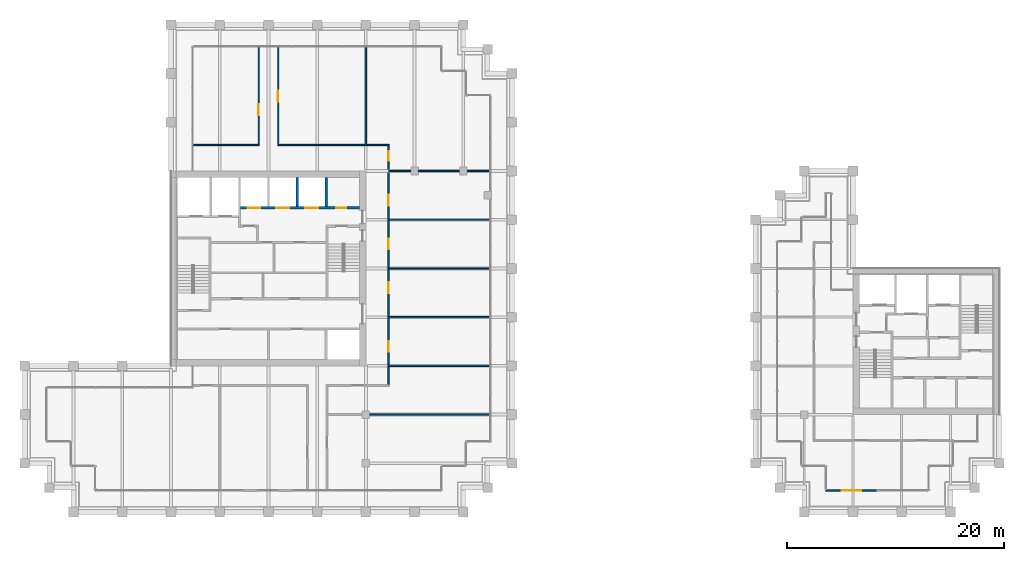
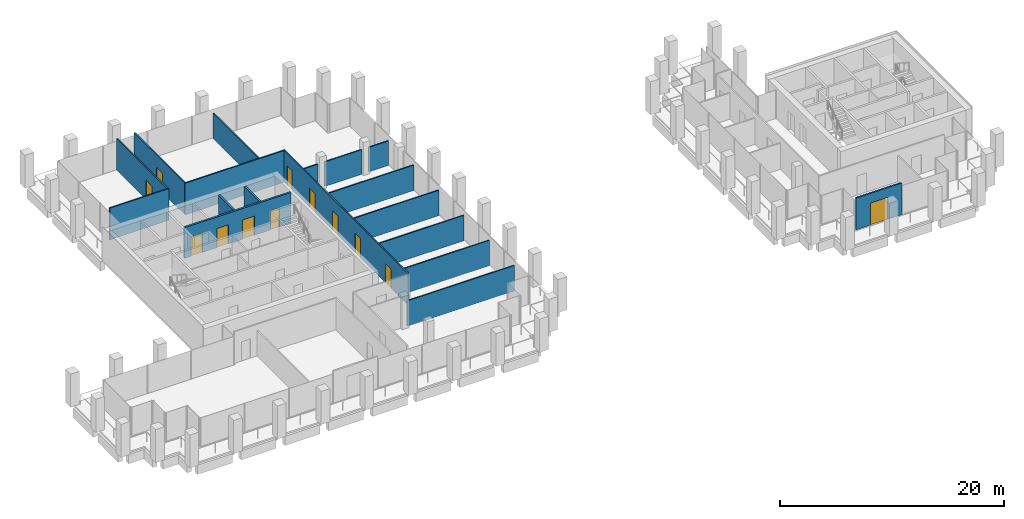
# One storey, part 37 of 40: 18 walls, 12 doors, 12 openings.
"""IFC4 building model written with IfcOpenShell, lengths in metres."""

from ifc_helpers import new_model, si_unit, direction, frame, frame_2d, origin, place, context, subcontext, project, spatial, rectangle, extrude, material, layer, layer_set, type_object, element, fill, save


model = new_model("IFC4")

# Units and contexts
model_context = context("Model", 3, precision=1e-05, world=origin(), true_north=direction((0.0, 1.0)))
body_context = subcontext(model_context, "Body", "Model", "MODEL_VIEW")
ifc_project = project(units=[si_unit("LENGTHUNIT", "METRE"), si_unit("AREAUNIT", "SQUARE_METRE"), si_unit("VOLUMEUNIT", "CUBIC_METRE"), si_unit("PLANEANGLEUNIT", "RADIAN"), si_unit("MASSUNIT", "GRAM", prefix="KILO")], contexts=[model_context])

# Site, building, storey
site_placement = place(None, origin())
site = spatial("IfcSite", under=ifc_project, at=site_placement, CompositionType="ELEMENT")
building_placement = place(site_placement, origin())
building = spatial("IfcBuilding", under=site, at=building_placement, Name="Altepetl Exchange Towers", CompositionType="ELEMENT")
storey_placement = place(building_placement, frame((0.0, 0.0, 151.0)))
storey = spatial("IfcBuildingStorey", under=building, at=storey_placement, Name="L37", CompositionType="ELEMENT", Elevation=151.0)

# Wall, opening, door
ifc_material_1 = material(Name="Aluminium composite cladding", Category="aluminium")
ifc_layer_1 = layer(ifc_material_1, 0.14990234375)
ifc_layer_set_1 = layer_set([ifc_layer_1], Name="Aluminium composite cladding")
wall_type_1 = type_object("IfcWallType", Name="Infill wall 150 aluminium panel", PredefinedType="SOLIDWALL", material=ifc_layer_set_1)
wall_1_placement = place(storey_placement, frame((101.0, 29.0, 0.0)))
wall_1 = element("IfcWall", 1, at=wall_1_placement, inside=storey, type_object=wall_type_1, Name="Loggia door bay wall", PredefinedType="SOLIDWALL", context=body_context, shape_type="SweptSolid", body=[
    extrude(rectangle(XDim=4.71240234375, YDim=0.14990234375, at=frame_2d((2.356201171875, 0.0))), origin(), (0.0, 0.0, 1.0), 3.449951171875),
])
opening_1_placement = place(wall_1_placement, frame((1.456298828125, 0.0, 0.0)))
opening_1 = element("IfcOpeningElement", 2, at=opening_1_placement, cuts=wall_1, Name="Opening L37.B90", PredefinedType="OPENING", context=body_context, shape_type="SweptSolid", body=[
    extrude(rectangle(XDim=1.800048828125, YDim=2.39990234375, at=frame_2d((0.89990234375, 1.199951171875))), frame((0.0, 0.0849609375, 0.0), z_axis=(0.0, -1.0, 0.0), x_axis=(1.0, 0.0, 0.0)), (0.0, 0.0, 1.0), 0.169921875),
])
ifc_material_2 = material(Name="Aluminium 6063-T6 and glass", Category="aluminium")
door_type_1 = type_object("IfcDoorType", Name="Glazed door pair 1800x2400", OperationType="DOUBLE_DOOR_DOUBLE_SWING", PredefinedType="NOTDEFINED", material=ifc_material_2)
door_1_placement = place(opening_1_placement, frame((1.800048828125, 0.0, 0.0), x_axis=(-1.0, 0.0, 0.0)))
door_1 = element("IfcDoor", 3, at=door_1_placement, inside=storey, type_object=door_type_1, Name="Loggia door", OperationType="DOUBLE_DOOR_DOUBLE_SWING", OverallHeight=2.39990234375, OverallWidth=1.800048828125, PredefinedType="NOTDEFINED", context=body_context, shape_type="SweptSolid", body=[
    extrude(rectangle(XDim=1.800048828125, YDim=2.39990234375, at=frame_2d((0.89990234375, 1.199951171875))), frame((0.0, 0.02490234375, 0.0), z_axis=(0.0, -1.0, 0.0), x_axis=(1.0, 0.0, 0.0)), (0.0, 0.0, 1.0), 0.050048828125),
])
fill(opening_1, door_1)

# Walls
ifc_material_3 = material(Name="Timber panels on aluminium track", Category="wood")
ifc_layer_2 = layer(ifc_material_3, 0.125)
ifc_layer_set_2 = layer_set([ifc_layer_2], Name="Timber panels on aluminium track")
wall_type_2 = type_object("IfcWallType", Name="Operable acoustic partition 125", PredefinedType="MOVABLE", material=ifc_layer_set_2)
for number, where, name in (
    (4, (60.60009765625, 45.0, 0.0), "wall:A:L37:P06"),
    (5, (60.60009765625, 49.5, 0.0), "wall:A:L37:P07"),
    (6, (60.60009765625, 54.0, 0.0), "wall:A:L37:P08"),
):
    element("IfcWall", number, at=place(storey_placement, frame(where)), inside=storey, type_object=wall_type_2, Name=name, PredefinedType="MOVABLE", context=body_context, shape_type="SweptSolid", body=[
        extrude(rectangle(XDim=9.2998046875, YDim=0.125, at=frame_2d((4.64990234375, 0.0))), origin(), (0.0, 0.0, 1.0), 2.76611328125),
    ])
ifc_material_4 = material(Name="Gypsum board on steel studs", Category="steel")
ifc_layer_3 = layer(ifc_material_4, 0.125)
ifc_layer_set_3 = layer_set([ifc_layer_3], Name="Gypsum board on steel studs")
wall_type_3 = type_object("IfcWallType", Name="Partition 125 gypsum board on steel studs", PredefinedType="PARTITIONING", material=ifc_layer_set_3)
wall_2_placement = place(storey_placement, frame((58.85009765625, 36.0, 0.0)))
element("IfcWall", 7, at=wall_2_placement, inside=storey, type_object=wall_type_3, Name="wall:A:L37:P02", PredefinedType="PARTITIONING", context=body_context, shape_type="SweptSolid", body=[
    extrude(rectangle(XDim=11.0498046875, YDim=0.125, at=frame_2d((5.52490234375, 0.0))), origin(), (0.0, 0.0, 1.0), 2.76611328125),
])
wall_3_placement = place(storey_placement, frame((60.60009765625, 40.5, 0.0)))
element("IfcWall", 8, at=wall_3_placement, inside=storey, type_object=wall_type_3, Name="wall:A:L37:P05", PredefinedType="PARTITIONING", context=body_context, shape_type="SweptSolid", body=[
    extrude(rectangle(XDim=9.2998046875, YDim=0.125, at=frame_2d((4.64990234375, 0.0))), origin(), (0.0, 0.0, 1.0), 2.76611328125),
])
wall_4_placement = place(storey_placement, frame((60.60009765625, 58.5, 0.0)))
element("IfcWall", 9, at=wall_4_placement, inside=storey, type_object=wall_type_3, Name="wall:A:L37:P09", PredefinedType="PARTITIONING", context=body_context, shape_type="SweptSolid", body=[
    extrude(rectangle(XDim=2.0498046875, YDim=0.125, at=frame_2d((1.02490234375, 0.0))), origin(), (0.0, 0.0, 1.0), 2.676025390625),
])
wall_5_placement = place(storey_placement, frame((63.35009765625, 58.5, 0.0)))
element("IfcWall", 10, at=wall_5_placement, inside=storey, type_object=wall_type_3, Name="wall:A:L37:P10", PredefinedType="PARTITIONING", context=body_context, shape_type="SweptSolid", body=[
    extrude(rectangle(XDim=3.7998046875, YDim=0.125, at=frame_2d((1.89990234375, 0.0))), origin(), (0.0, 0.0, 1.0), 2.676025390625),
])
wall_6_placement = place(storey_placement, frame((67.85009765625, 58.5, 0.0)))
element("IfcWall", 11, at=wall_6_placement, inside=storey, type_object=wall_type_3, Name="wall:A:L37:P11", PredefinedType="PARTITIONING", context=body_context, shape_type="SweptSolid", body=[
    extrude(rectangle(XDim=2.0498046875, YDim=0.125, at=frame_2d((1.02490234375, 0.0))), origin(), (0.0, 0.0, 1.0), 2.676025390625),
])
wall_7_placement = place(storey_placement, frame((42.60009765625, 60.89990234375, 0.0)))
element("IfcWall", 12, at=wall_7_placement, inside=storey, type_object=wall_type_3, Name="wall:A:L37:P12", PredefinedType="PARTITIONING", context=body_context, shape_type="SweptSolid", body=[
    extrude(rectangle(XDim=6.0625, YDim=0.125, at=frame_2d((3.03125, 0.0))), origin(), (0.0, 0.0, 1.0), 3.449951171875),
])
wall_8_placement = place(storey_placement, frame((50.33740234375, 60.89990234375, 0.0)))
element("IfcWall", 13, at=wall_8_placement, inside=storey, type_object=wall_type_3, Name="wall:A:L37:P13", PredefinedType="PARTITIONING", context=body_context, shape_type="SweptSolid", body=[
    extrude(rectangle(XDim=10.3251953125, YDim=0.125, at=frame_2d((5.16259765625, 0.0))), origin(), (0.0, 0.0, 1.0), 3.449951171875),
])

# Wall, opening, door
wall_9_placement = place(storey_placement, frame((48.60009765625, 60.96240234375, 0.0), z_axis=(0.0, 0.0, 1.0), x_axis=(0.0, 1.0, 0.0)))
wall_9 = element("IfcWall", 14, at=wall_9_placement, inside=storey, type_object=wall_type_3, Name="wall:A:L37:P15", PredefinedType="PARTITIONING", context=body_context, shape_type="SweptSolid", body=[
    extrude(rectangle(XDim=8.9375, YDim=0.125, at=frame_2d((4.46875, 0.0))), origin(), (0.0, 0.0, 1.0), 3.449951171875),
])
opening_2_placement = place(wall_9_placement, frame((2.694580078125, 0.0, 0.0)))
opening_2 = element("IfcOpeningElement", 15, at=opening_2_placement, cuts=wall_9, Name="Opening L37.A11", PredefinedType="OPENING", context=body_context, shape_type="SweptSolid", body=[
    extrude(rectangle(XDim=1.0, YDim=2.10009765625, at=frame_2d((0.5, 1.050048828125))), frame((0.0, 0.072509765625, 0.0), z_axis=(0.0, -1.0, 0.0), x_axis=(1.0, 0.0, 0.0)), (0.0, 0.0, 1.0), 0.14501953125),
])
ifc_material_5 = material(Name="Steel and timber fire door", Category="steel")
door_type_2 = type_object("IfcDoorType", Name="Fire door 1000 x 2100 single leaf", OperationType="SINGLE_SWING_LEFT", PredefinedType="DOOR", material=ifc_material_5)
door_2_placement = place(opening_2_placement, origin())
door_2 = element("IfcDoor", 16, at=door_2_placement, inside=storey, type_object=door_type_2, Name="door:A:L37:11", OperationType="SINGLE_SWING_RIGHT", OverallHeight=2.10009765625, OverallWidth=1.0, PredefinedType="DOOR", context=body_context, shape_type="SweptSolid", body=[
    extrude(rectangle(XDim=1.0, YDim=2.10009765625, at=frame_2d((0.5, 1.050048828125))), frame((0.0, 0.02490234375, 0.0), z_axis=(0.0, -1.0, 0.0), x_axis=(1.0, 0.0, 0.0)), (0.0, 0.0, 1.0), 0.050048828125),
])
fill(opening_2, door_2)

wall_10_placement = place(storey_placement, frame((50.39990234375, 60.96240234375, 0.0), z_axis=(0.0, 0.0, 1.0), x_axis=(0.0, 1.0, 0.0)))
wall_10 = element("IfcWall", 17, at=wall_10_placement, inside=storey, type_object=wall_type_3, Name="wall:A:L37:P16", PredefinedType="PARTITIONING", context=body_context, shape_type="SweptSolid", body=[
    extrude(rectangle(XDim=8.9375, YDim=0.125, at=frame_2d((4.46875, 0.0))), origin(), (0.0, 0.0, 1.0), 3.449951171875),
])
opening_3_placement = place(wall_10_placement, frame((3.9375, 0.0, 0.0)))
opening_3 = element("IfcOpeningElement", 18, at=opening_3_placement, cuts=wall_10, Name="Opening L37.A10", PredefinedType="OPENING", context=body_context, shape_type="SweptSolid", body=[
    extrude(rectangle(XDim=1.0, YDim=2.10009765625, at=frame_2d((0.5, 1.050048828125))), frame((0.0, 0.072509765625, 0.0), z_axis=(0.0, -1.0, 0.0), x_axis=(1.0, 0.0, 0.0)), (0.0, 0.0, 1.0), 0.14501953125),
])
door_3_placement = place(opening_3_placement, frame((1.0, 0.0, 0.0), x_axis=(-1.0, 0.0, 0.0)))
door_3 = element("IfcDoor", 19, at=door_3_placement, inside=storey, type_object=door_type_2, Name="door:A:L37:10", OperationType="SINGLE_SWING_RIGHT", OverallHeight=2.10009765625, OverallWidth=1.0, PredefinedType="DOOR", context=body_context, shape_type="SweptSolid", body=[
    extrude(rectangle(XDim=1.0, YDim=2.10009765625, at=frame_2d((0.5, 1.050048828125))), frame((0.0, 0.02490234375, 0.0), z_axis=(0.0, -1.0, 0.0), x_axis=(1.0, 0.0, 0.0)), (0.0, 0.0, 1.0), 0.050048828125),
])
fill(opening_3, door_3)

# Wall
wall_11_placement = place(storey_placement, frame((58.5, 60.89990234375, 0.0), z_axis=(0.0, 0.0, 1.0), x_axis=(0.0, 1.0, 0.0)))
element("IfcWall", 20, at=wall_11_placement, inside=storey, type_object=wall_type_3, Name="wall:A:L37:P19", PredefinedType="PARTITIONING", context=body_context, shape_type="SweptSolid", body=[
    extrude(rectangle(XDim=9.0, YDim=0.125, at=frame_2d((4.5, 0.0))), origin(), (0.0, 0.0, 1.0), 2.76611328125),
])

# Wall, openings, doors
wall_12_placement = place(storey_placement, frame((60.60009765625, 38.762451171875, 0.0), z_axis=(0.0, 0.0, 1.0), x_axis=(0.0, 1.0, 0.0)))
wall_12 = element("IfcWall", 21, at=wall_12_placement, inside=storey, type_object=wall_type_3, Name="wall:A:L37:P20", PredefinedType="PARTITIONING", context=body_context, shape_type="SweptSolid", body=[
    extrude(rectangle(XDim=22.074951171875, YDim=0.125, at=frame_2d((11.03759765625, 0.0))), origin(), (0.0, 0.0, 1.0), 3.449951171875),
])
opening_4_placement = place(wall_12_placement, frame((3.032470703125, 0.0, 0.0)))
opening_4 = element("IfcOpeningElement", 22, at=opening_4_placement, cuts=wall_12, Name="Opening L37.A05", PredefinedType="OPENING", context=body_context, shape_type="SweptSolid", body=[
    extrude(rectangle(XDim=1.0, YDim=2.10009765625, at=frame_2d((0.5, 1.050048828125))), frame((0.0, 0.072509765625, 0.0), z_axis=(0.0, -1.0, 0.0), x_axis=(1.0, 0.0, 0.0)), (0.0, 0.0, 1.0), 0.14501953125),
])
opening_5_placement = place(wall_12_placement, frame((8.4423828125, 0.0, 0.0)))
opening_5 = element("IfcOpeningElement", 23, at=opening_5_placement, cuts=wall_12, Name="Opening L37.A06", PredefinedType="OPENING", context=body_context, shape_type="SweptSolid", body=[
    extrude(rectangle(XDim=1.0, YDim=2.10009765625, at=frame_2d((0.5, 1.050048828125))), frame((0.0, 0.072509765625, 0.0), z_axis=(0.0, -1.0, 0.0), x_axis=(1.0, 0.0, 0.0)), (0.0, 0.0, 1.0), 0.14501953125),
])
opening_6_placement = place(wall_12_placement, frame((12.487548828125, 0.0, 0.0)))
opening_6 = element("IfcOpeningElement", 24, at=opening_6_placement, cuts=wall_12, Name="Opening L37.A07", PredefinedType="OPENING", context=body_context, shape_type="SweptSolid", body=[
    extrude(rectangle(XDim=1.0, YDim=2.10009765625, at=frame_2d((0.5, 1.050048828125))), frame((0.0, 0.072509765625, 0.0), z_axis=(0.0, -1.0, 0.0), x_axis=(1.0, 0.0, 0.0)), (0.0, 0.0, 1.0), 0.14501953125),
])
opening_7_placement = place(wall_12_placement, frame((16.532470703125, 0.0, 0.0)))
opening_7 = element("IfcOpeningElement", 25, at=opening_7_placement, cuts=wall_12, Name="Opening L37.A08", PredefinedType="OPENING", context=body_context, shape_type="SweptSolid", body=[
    extrude(rectangle(XDim=1.0, YDim=2.10009765625, at=frame_2d((0.5, 1.050048828125))), frame((0.0, 0.072509765625, 0.0), z_axis=(0.0, -1.0, 0.0), x_axis=(1.0, 0.0, 0.0)), (0.0, 0.0, 1.0), 0.14501953125),
])
opening_8_placement = place(wall_12_placement, frame((20.66259765625, 0.0, 0.0)))
opening_8 = element("IfcOpeningElement", 26, at=opening_8_placement, cuts=wall_12, Name="Opening L37.A09", PredefinedType="OPENING", context=body_context, shape_type="SweptSolid", body=[
    extrude(rectangle(XDim=0.89990234375, YDim=2.10009765625, at=frame_2d((0.449951171875, 1.050048828125))), frame((0.0, 0.072509765625, 0.0), z_axis=(0.0, -1.0, 0.0), x_axis=(1.0, 0.0, 0.0)), (0.0, 0.0, 1.0), 0.14501953125),
])
door_4_placement = place(opening_4_placement, frame((1.0, 0.0, 0.0), x_axis=(-1.0, 0.0, 0.0)))
door_4 = element("IfcDoor", 27, at=door_4_placement, inside=storey, type_object=door_type_2, Name="door:A:L37:05", OperationType="SINGLE_SWING_LEFT", OverallHeight=2.10009765625, OverallWidth=1.0, PredefinedType="DOOR", context=body_context, shape_type="SweptSolid", body=[
    extrude(rectangle(XDim=1.0, YDim=2.10009765625, at=frame_2d((0.5, 1.050048828125))), frame((0.0, 0.02490234375, 0.0), z_axis=(0.0, -1.0, 0.0), x_axis=(1.0, 0.0, 0.0)), (0.0, 0.0, 1.0), 0.050048828125),
])
fill(opening_4, door_4)
door_5_placement = place(opening_5_placement, frame((1.0, 0.0, 0.0), x_axis=(-1.0, 0.0, 0.0)))
door_5 = element("IfcDoor", 28, at=door_5_placement, inside=storey, type_object=door_type_2, Name="door:A:L37:06", OperationType="SINGLE_SWING_RIGHT", OverallHeight=2.10009765625, OverallWidth=1.0, PredefinedType="DOOR", context=body_context, shape_type="SweptSolid", body=[
    extrude(rectangle(XDim=1.0, YDim=2.10009765625, at=frame_2d((0.5, 1.050048828125))), frame((0.0, 0.02490234375, 0.0), z_axis=(0.0, -1.0, 0.0), x_axis=(1.0, 0.0, 0.0)), (0.0, 0.0, 1.0), 0.050048828125),
])
fill(opening_5, door_5)
door_6_placement = place(opening_6_placement, frame((1.0, 0.0, 0.0), x_axis=(-1.0, 0.0, 0.0)))
door_6 = element("IfcDoor", 29, at=door_6_placement, inside=storey, type_object=door_type_2, Name="door:A:L37:07", OperationType="SINGLE_SWING_LEFT", OverallHeight=2.10009765625, OverallWidth=1.0, PredefinedType="DOOR", context=body_context, shape_type="SweptSolid", body=[
    extrude(rectangle(XDim=1.0, YDim=2.10009765625, at=frame_2d((0.5, 1.050048828125))), frame((0.0, 0.02490234375, 0.0), z_axis=(0.0, -1.0, 0.0), x_axis=(1.0, 0.0, 0.0)), (0.0, 0.0, 1.0), 0.050048828125),
])
fill(opening_6, door_6)
door_7_placement = place(opening_7_placement, frame((1.0, 0.0, 0.0), x_axis=(-1.0, 0.0, 0.0)))
door_7 = element("IfcDoor", 30, at=door_7_placement, inside=storey, type_object=door_type_2, Name="door:A:L37:08", OperationType="SINGLE_SWING_RIGHT", OverallHeight=2.10009765625, OverallWidth=1.0, PredefinedType="DOOR", context=body_context, shape_type="SweptSolid", body=[
    extrude(rectangle(XDim=1.0, YDim=2.10009765625, at=frame_2d((0.5, 1.050048828125))), frame((0.0, 0.02490234375, 0.0), z_axis=(0.0, -1.0, 0.0), x_axis=(1.0, 0.0, 0.0)), (0.0, 0.0, 1.0), 0.050048828125),
])
fill(opening_7, door_7)
door_type_3 = type_object("IfcDoorType", Name="Fire door 900 x 2100 single leaf", OperationType="SINGLE_SWING_LEFT", PredefinedType="DOOR", material=ifc_material_5)
door_8_placement = place(opening_8_placement, frame((0.89990234375, 0.0, 0.0), x_axis=(-1.0, 0.0, 0.0)))
door_8 = element("IfcDoor", 31, at=door_8_placement, inside=storey, type_object=door_type_3, Name="door:A:L37:09", OperationType="SINGLE_SWING_LEFT", OverallHeight=2.10009765625, OverallWidth=0.89990234375, PredefinedType="DOOR", context=body_context, shape_type="SweptSolid", body=[
    extrude(rectangle(XDim=0.89990234375, YDim=2.10009765625, at=frame_2d((0.449951171875, 1.050048828125))), frame((0.0, 0.02490234375, 0.0), z_axis=(0.0, -1.0, 0.0), x_axis=(1.0, 0.0, 0.0)), (0.0, 0.0, 1.0), 0.050048828125),
])
fill(opening_8, door_8)

# Walls
ifc_material_6 = material(Name="Concrete C40/50", Category="concrete")
ifc_layer_4 = layer(ifc_material_6, 0.199951171875)
ifc_layer_set_4 = layer_set([ifc_layer_4], Name="Concrete C40/50")
wall_type_4 = type_object("IfcWallType", Name="Shaft wall 200 reinforced concrete", PredefinedType="SHEAR", material=ifc_layer_set_4)
for number, where, z_axis, x_axis, name in (
    (32, (52.166748046875, 57.89990234375, 0.0), (0.0, 0.0, 1.0), (0.0, -1.0, 0.0), "wall:A:L37:K-divN4"),
    (33, (54.833251953125, 57.89990234375, 0.0), (0.0, 0.0, 1.0), (0.0, -1.0, 0.0), "wall:A:L37:K-divN5"),
):
    element("IfcWall", number, at=place(storey_placement, frame(where, z_axis=z_axis, x_axis=x_axis)), inside=storey, type_object=wall_type_4, Name=name, PredefinedType="SHEAR", context=body_context, shape_type="SweptSolid", body=[
        extrude(rectangle(XDim=2.699951171875, YDim=0.199951171875, at=frame_2d((1.35009765625, 0.0))), origin(), (0.0, 0.0, 1.0), 3.35009765625),
    ])

# Wall, openings, doors
wall_13_placement = place(storey_placement, frame((46.933349609375, 55.10009765625, 0.0)))
wall_13 = element("IfcWall", 34, at=wall_13_placement, inside=storey, type_object=wall_type_4, Name="wall:A:L37:K-frontNb", PredefinedType="SHEAR", context=body_context, shape_type="SweptSolid", body=[
    extrude(rectangle(XDim=10.966552734375, YDim=0.199951171875, at=frame_2d((5.4833984375, 0.0))), origin(), (0.0, 0.0, 1.0), 3.35009765625),
])
opening_9_placement = place(wall_13_placement, frame((8.83349609375, 0.0, 0.0)))
opening_9 = element("IfcOpeningElement", 35, at=opening_9_placement, cuts=wall_13, Name="Opening L37.A66", PredefinedType="OPENING", context=body_context, shape_type="SweptSolid", body=[
    extrude(rectangle(XDim=0.89990234375, YDim=2.10009765625, at=frame_2d((0.449951171875, 1.050048828125))), frame((0.0, 0.10986328125, 0.0), z_axis=(0.0, -1.0, 0.0), x_axis=(1.0, 0.0, 0.0)), (0.0, 0.0, 1.0), 0.219970703125),
])
opening_10_placement = place(wall_13_placement, frame((0.63330078125, 0.0, 0.0)))
opening_10 = element("IfcOpeningElement", 36, at=opening_10_placement, cuts=wall_13, Name="Opening L37.A75", PredefinedType="OPENING", context=body_context, shape_type="SweptSolid", body=[
    extrude(rectangle(XDim=1.199951171875, YDim=2.10009765625, at=frame_2d((0.60009765625, 1.050048828125))), frame((0.0, 0.10986328125, 0.0), z_axis=(0.0, -1.0, 0.0), x_axis=(1.0, 0.0, 0.0)), (0.0, 0.0, 1.0), 0.219970703125),
])
opening_11_placement = place(wall_13_placement, frame((3.300048828125, 0.0, 0.0)))
opening_11 = element("IfcOpeningElement", 37, at=opening_11_placement, cuts=wall_13, Name="Opening L37.A76", PredefinedType="OPENING", context=body_context, shape_type="SweptSolid", body=[
    extrude(rectangle(XDim=1.199951171875, YDim=2.10009765625, at=frame_2d((0.60009765625, 1.050048828125))), frame((0.0, 0.10986328125, 0.0), z_axis=(0.0, -1.0, 0.0), x_axis=(1.0, 0.0, 0.0)), (0.0, 0.0, 1.0), 0.219970703125),
])
opening_12_placement = place(wall_13_placement, frame((5.966796875, 0.0, 0.0)))
opening_12 = element("IfcOpeningElement", 38, at=opening_12_placement, cuts=wall_13, Name="Opening L37.A77", PredefinedType="OPENING", context=body_context, shape_type="SweptSolid", body=[
    extrude(rectangle(XDim=1.199951171875, YDim=2.10009765625, at=frame_2d((0.60009765625, 1.050048828125))), frame((0.0, 0.10986328125, 0.0), z_axis=(0.0, -1.0, 0.0), x_axis=(1.0, 0.0, 0.0)), (0.0, 0.0, 1.0), 0.219970703125),
])
door_type_4 = type_object("IfcDoorType", Name="Fire door 900 x 2100 service room", OperationType="SINGLE_SWING_LEFT", PredefinedType="DOOR", material=ifc_material_5)
door_9_placement = place(opening_9_placement, origin())
door_9 = element("IfcDoor", 39, at=door_9_placement, inside=storey, type_object=door_type_4, Name="door:A:L37:K-driser", OperationType="SINGLE_SWING_RIGHT", OverallHeight=2.10009765625, OverallWidth=0.89990234375, PredefinedType="DOOR", context=body_context, shape_type="SweptSolid", body=[
    extrude(rectangle(XDim=0.89990234375, YDim=2.10009765625, at=frame_2d((0.449951171875, 1.050048828125))), frame((0.0, 0.02490234375, 0.0), z_axis=(0.0, -1.0, 0.0), x_axis=(1.0, 0.0, 0.0)), (0.0, 0.0, 1.0), 0.050048828125),
])
fill(opening_9, door_9)
ifc_material_7 = material(Name="Stainless steel", Category="steel")
door_type_5 = type_object("IfcDoorType", Name="Lift landing door 1200 x 2100", OperationType="SLIDING_TO_LEFT", PredefinedType="DOOR", material=ifc_material_7)
door_10_placement = place(opening_10_placement, origin())
door_10 = element("IfcDoor", 40, at=door_10_placement, inside=storey, type_object=door_type_5, Name="Landing door P5", OperationType="SLIDING_TO_LEFT", OverallHeight=2.10009765625, OverallWidth=1.199951171875, PredefinedType="DOOR", context=body_context, shape_type="SweptSolid", body=[
    extrude(rectangle(XDim=1.199951171875, YDim=2.10009765625, at=frame_2d((0.60009765625, 1.050048828125))), frame((0.0, 0.02490234375, 0.0), z_axis=(0.0, -1.0, 0.0), x_axis=(1.0, 0.0, 0.0)), (0.0, 0.0, 1.0), 0.050048828125),
])
fill(opening_10, door_10)
door_11_placement = place(opening_11_placement, origin())
door_11 = element("IfcDoor", 41, at=door_11_placement, inside=storey, type_object=door_type_5, Name="Landing door P6", OperationType="SLIDING_TO_LEFT", OverallHeight=2.10009765625, OverallWidth=1.199951171875, PredefinedType="DOOR", context=body_context, shape_type="SweptSolid", body=[
    extrude(rectangle(XDim=1.199951171875, YDim=2.10009765625, at=frame_2d((0.60009765625, 1.050048828125))), frame((0.0, 0.02490234375, 0.0), z_axis=(0.0, -1.0, 0.0), x_axis=(1.0, 0.0, 0.0)), (0.0, 0.0, 1.0), 0.050048828125),
])
fill(opening_11, door_11)
door_12_placement = place(opening_12_placement, origin())
door_12 = element("IfcDoor", 42, at=door_12_placement, inside=storey, type_object=door_type_5, Name="Landing door P7", OperationType="SLIDING_TO_LEFT", OverallHeight=2.10009765625, OverallWidth=1.199951171875, PredefinedType="DOOR", context=body_context, shape_type="SweptSolid", body=[
    extrude(rectangle(XDim=1.199951171875, YDim=2.10009765625, at=frame_2d((0.60009765625, 1.050048828125))), frame((0.0, 0.02490234375, 0.0), z_axis=(0.0, -1.0, 0.0), x_axis=(1.0, 0.0, 0.0)), (0.0, 0.0, 1.0), 0.050048828125),
])
fill(opening_12, door_12)

save(model, "model.ifc")
